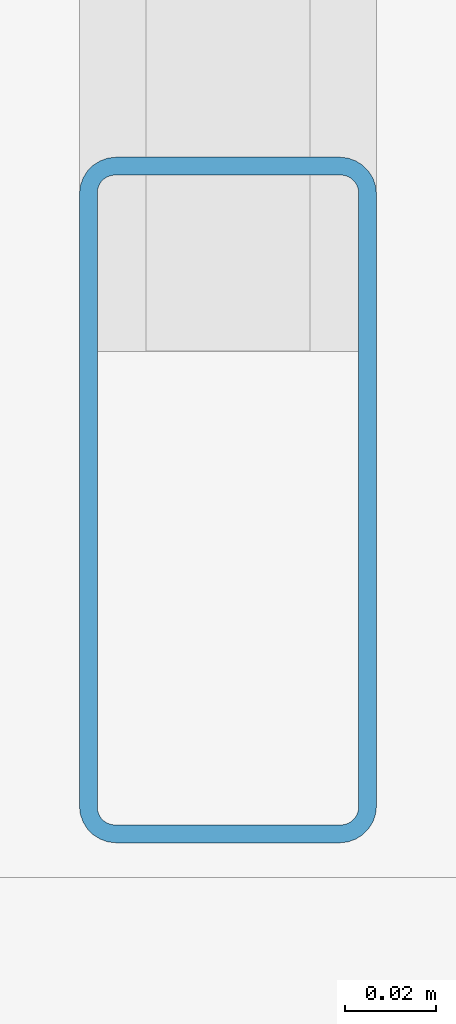
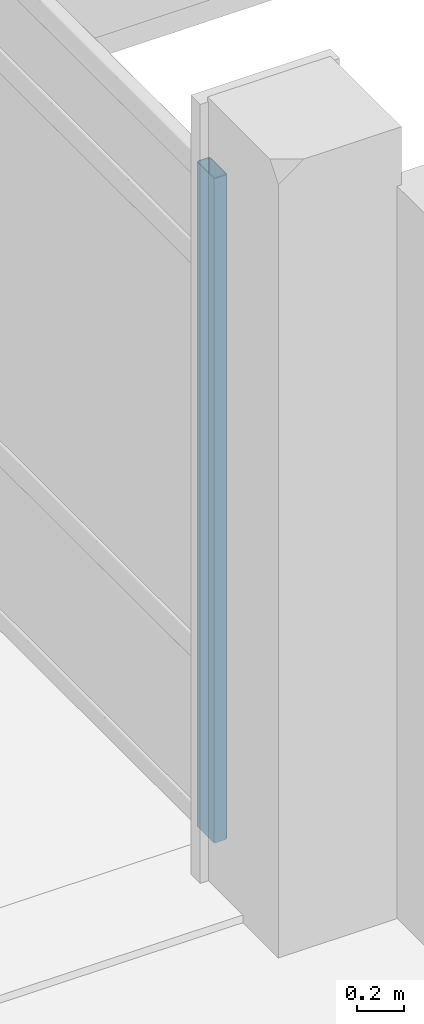
# One storey, part 16 of 134: 1 member, 1 element without a shape of its own.
"""IFC4 building model written with IfcOpenShell, lengths in metres."""

from ifc_helpers import new_model, si_unit, direction, frame, origin, origin_2d, place, context, subcontext, project, spatial, hollow_rectangle, extrude, material, layer, layer_set, material_profile, profile_set, type_object, element, aggregate, save


model = new_model("IFC4")

# Units and contexts
model_context = context("Model", 3, precision=1e-05, world=origin(), true_north=direction((0.0, 1.0)))
body_context = subcontext(model_context, "Body", "Model", "MODEL_VIEW")
ifc_project = project(units=[si_unit("LENGTHUNIT", "METRE"), si_unit("AREAUNIT", "SQUARE_METRE"), si_unit("VOLUMEUNIT", "CUBIC_METRE"), si_unit("PLANEANGLEUNIT", "RADIAN"), si_unit("MASSUNIT", "GRAM", prefix="KILO")], contexts=[model_context])

# Site, building, storey
site_placement = place(None, origin())
site = spatial("IfcSite", under=ifc_project, at=site_placement, CompositionType="ELEMENT")
building_placement = place(site_placement, origin())
building = spatial("IfcBuilding", under=site, at=building_placement, Name="Asteropetra Specialist Clinic", CompositionType="ELEMENT")
storey_placement = place(building_placement, frame((0.0, 0.0, 8.5)))
storey = spatial("IfcBuildingStorey", under=building, at=storey_placement, Name="L02", CompositionType="ELEMENT", Elevation=8.5)

# Curtain wall, member
ifc_material_1 = material(Name="Aluminium and low-E glass", Category="aluminium")
ifc_layer = layer(ifc_material_1, 0.135009765625)
ifc_layer_set = layer_set([ifc_layer], Name="Aluminium and low-E glass")
curtain_wall_type = type_object("IfcCurtainWallType", Name="CW-SYS-09", PredefinedType="USERDEFINED", material=ifc_layer_set)
curtain_wall_placement = place(storey_placement, origin())
curtain_wall = element("IfcCurtainWall", 1, at=curtain_wall_placement, inside=storey, type_object=curtain_wall_type, Name="Curtain Wall CW-106", ObjectType="STICK GLAZED COLONNADE", PredefinedType="USERDEFINED")
ifc_material_2 = material(Name="Aluminium 6063-T6", Category="aluminium")
ifc_material_profile = material_profile(ifc_material_2, hollow_rectangle(XDim=0.06494140625, YDim=0.14990234375, WallThickness=0.00390625, InnerFilletRadius=0.00390625, OuterFilletRadius=0.008056640625, at=origin_2d()), Name="MUL 150x65x4.0")
ifc_profile_set = profile_set([ifc_material_profile], Name="Aluminium 6063-T6")
member_type = type_object("IfcMemberType", Name="CWM-150x65", PredefinedType="MULLION", material=ifc_profile_set)
member_placement = place(storey_placement, frame((28.719970703125, 63.04248046875, 0.0), z_axis=(0.0, 0.0, 1.0), x_axis=(1.0, 0.0, 0.0)))
member = element("IfcMember", 2, at=member_placement, type_object=member_type, Name="CW-106 mullion 4", PredefinedType="MULLION", context=body_context, shape_type="SweptSolid", body=[
    extrude(hollow_rectangle(XDim=0.06494140625, YDim=0.14990234375, WallThickness=0.00390625, InnerFilletRadius=0.00390625, OuterFilletRadius=0.008056640625, at=origin_2d()), origin(), (0.0, 0.0, 1.0), 3.429931640625),
])
aggregate(curtain_wall, [member])

save(model, "model.ifc")
